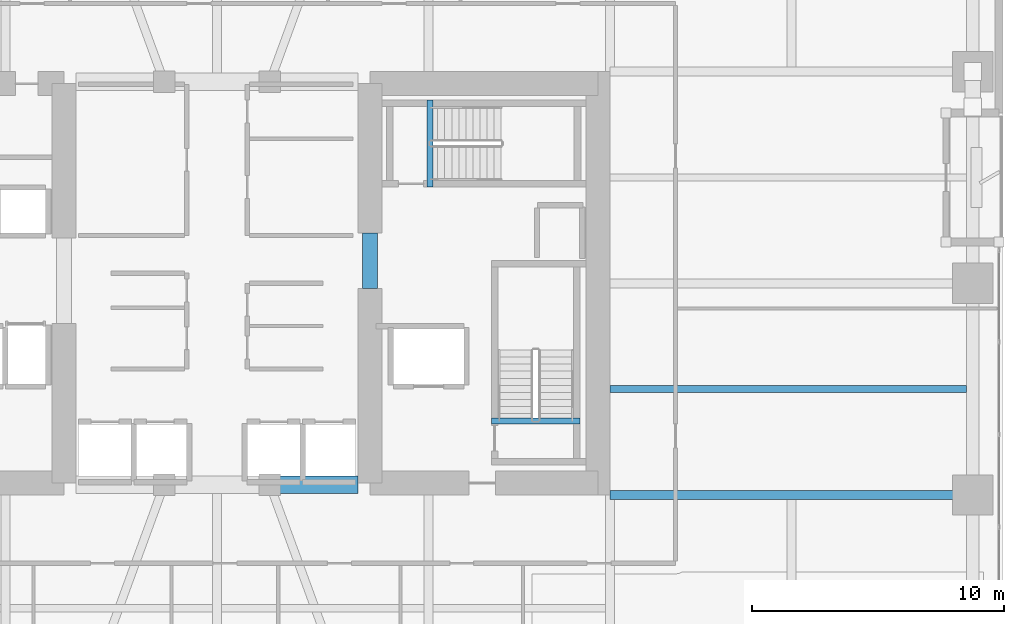
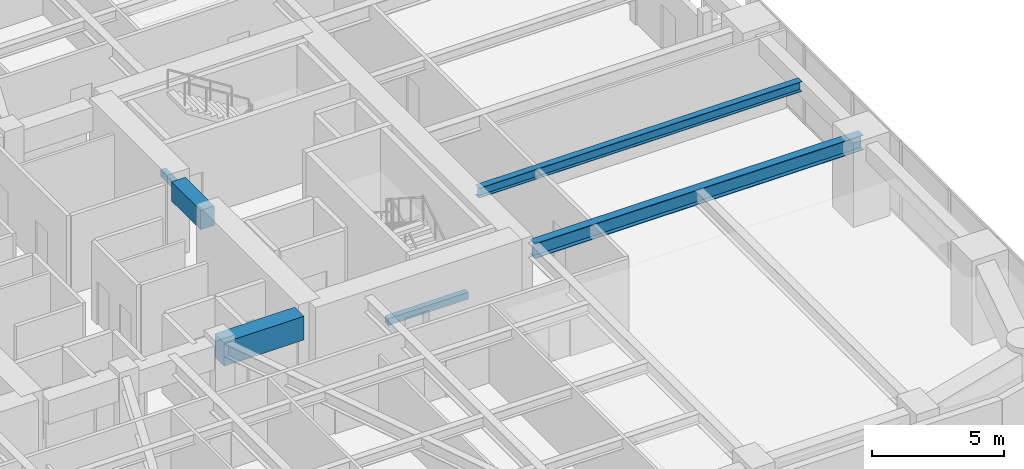
# One storey, part 7 of 29: 6 beams.
"""IFC4 building model written with IfcOpenShell, lengths in metres."""

from ifc_helpers import new_model, si_unit, direction, frame, origin, origin_2d, place, context, subcontext, project, spatial, rectangle, i_section, extrude, material, material_profile, profile_set, type_object, element, save


model = new_model("IFC4")

# Units and contexts
model_context = context("Model", 3, precision=1e-05, world=origin(), true_north=direction((0.0, 1.0)))
body_context = subcontext(model_context, "Body", "Model", "MODEL_VIEW")
ifc_project = project(units=[si_unit("LENGTHUNIT", "METRE"), si_unit("AREAUNIT", "SQUARE_METRE"), si_unit("VOLUMEUNIT", "CUBIC_METRE"), si_unit("PLANEANGLEUNIT", "RADIAN"), si_unit("MASSUNIT", "GRAM", prefix="KILO")], contexts=[model_context])

# Site, building, storey
site_placement = place(None, origin())
site = spatial("IfcSite", under=ifc_project, at=site_placement, CompositionType="ELEMENT")
building_placement = place(site_placement, origin())
building = spatial("IfcBuilding", under=site, at=building_placement, Name="Kiyonajd Concourse Tower", CompositionType="ELEMENT")
storey_placement = place(building_placement, frame((0.0, 0.0, 52.800048828125)))
storey = spatial("IfcBuildingStorey", under=building, at=storey_placement, Name="L14", CompositionType="ELEMENT", Elevation=52.800048828125)

# Beams
ifc_material_1 = material(Name="Concrete C70/85", Category="concrete")
ifc_material_profile_1 = material_profile(ifc_material_1, rectangle(XDim=0.699951171875, YDim=1.10009765625, at=origin_2d()), Name="RCBM-700x1100")
ifc_profile_set_1 = profile_set([ifc_material_profile_1], Name="Concrete C70/85")
beam_type_1 = type_object("IfcBeamType", Name="BM-COUP-1100", PredefinedType="LINTEL", material=ifc_profile_set_1)
beam_1_placement = place(storey_placement, frame((50.10009765625, 28.0, 3.08984375), z_axis=(1.0, 0.0, 0.0), x_axis=(0.0, 1.0, 0.0)))
element("IfcBeam", 1, at=beam_1_placement, inside=storey, type_object=beam_type_1, Name="L14 Core Coupling Beam S3", PredefinedType="LINTEL", context=body_context, shape_type="SweptSolid", body=[
    extrude(rectangle(XDim=0.699951171875, YDim=1.10009765625, at=origin_2d()), origin(), (0.0, 0.0, 1.0), 3.5),
])
ifc_material_2 = material(Name="Concrete C60/75", Category="concrete")
ifc_material_profile_2 = material_profile(ifc_material_2, rectangle(XDim=0.60009765625, YDim=0.89990234375, at=origin_2d()), Name="RCBM-600x900")
ifc_profile_set_2 = profile_set([ifc_material_profile_2], Name="Concrete C60/75")
beam_type_2 = type_object("IfcBeamType", Name="BM-COUP-900", PredefinedType="LINTEL", material=ifc_profile_set_2)
beam_2_placement = place(storey_placement, frame((54.074951171875, 35.800048828125, 3.08984375), z_axis=(0.0, 1.0, 0.0), x_axis=(-1.0, 0.0, 0.0)))
element("IfcBeam", 2, at=beam_2_placement, inside=storey, type_object=beam_type_2, Name="L14 East Core Throat Coupling Lintel", PredefinedType="LINTEL", context=body_context, shape_type="SweptSolid", body=[
    extrude(rectangle(XDim=0.60009765625, YDim=0.89990234375, at=origin_2d()), origin(), (0.0, 0.0, 1.0), 2.199951171875),
])
ifc_material_3 = material(Name="Steel ASTM A992 Grade 50", Category="steel")
ifc_material_profile_3 = material_profile(ifc_material_3, i_section(OverallWidth=0.280029296875, OverallDepth=0.462890625, WebThickness=0.0107421875, FlangeThickness=0.017333984375, at=origin_2d()), Name="W460X113")
ifc_profile_set_3 = profile_set([ifc_material_profile_3], Name="Steel ASTM A992 Grade 50")
beam_type_3 = type_object("IfcBeamType", Name="BM-JST-460A", PredefinedType="JOIST", material=ifc_profile_set_3)
beam_3_placement = place(storey_placement, frame((63.60009765625, 31.800048828125, 3.408447265625), z_axis=(1.0, 0.0, 0.0), x_axis=(0.0, 1.0, 0.0)))
element("IfcBeam", 3, at=beam_3_placement, inside=storey, type_object=beam_type_3, Name="L14 East Secondary Floor Joist", PredefinedType="JOIST", context=body_context, shape_type="SweptSolid", body=[
    extrude(i_section(OverallWidth=0.280029296875, OverallDepth=0.462890625, WebThickness=0.0107421875, FlangeThickness=0.017333984375, at=origin_2d()), origin(), (0.0, 0.0, 1.0), 14.14990234375),
])
ifc_material_4 = material(Name="Concrete C50/60", Category="concrete")
ifc_material_profile_4 = material_profile(ifc_material_4, rectangle(XDim=0.239990234375, YDim=0.320068359375, at=origin_2d()), Name="RCBM-240x320")
ifc_profile_set_4 = profile_set([ifc_material_profile_4], Name="Concrete C50/60")
beam_type_4 = type_object("IfcBeamType", Name="BM-LNT-250", PredefinedType="LINTEL", material=ifc_profile_set_4)
beam_4_placement = place(storey_placement, frame((58.889892578125, 30.530029296875, -0.16015625), z_axis=(1.0, 0.0, 0.0), x_axis=(0.0, 1.0, 0.0)))
element("IfcBeam", 4, at=beam_4_placement, inside=storey, type_object=beam_type_4, Name="L14 Stair ST2 Threshold Support Beam", PredefinedType="LINTEL", context=body_context, shape_type="SweptSolid", body=[
    extrude(rectangle(XDim=0.239990234375, YDim=0.320068359375, at=origin_2d()), origin(), (0.0, 0.0, 1.0), 3.52001953125),
])
beam_5_placement = place(storey_placement, frame((56.4599609375, 39.820068359375, -0.16015625), z_axis=(0.0, 1.0, 0.0), x_axis=(-1.0, 0.0, 0.0)))
element("IfcBeam", 5, at=beam_5_placement, inside=storey, type_object=beam_type_4, Name="L14 Stair ST3 Threshold Support Beam", PredefinedType="LINTEL", context=body_context, shape_type="SweptSolid", body=[
    extrude(rectangle(XDim=0.239990234375, YDim=0.320068359375, at=origin_2d()), origin(), (0.0, 0.0, 1.0), 3.4599609375),
])
ifc_material_profile_5 = material_profile(ifc_material_3, i_section(OverallWidth=0.35498046875, OverallDepth=0.695068359375, WebThickness=0.015380859375, FlangeThickness=0.02490234375, at=origin_2d()), Name="W690X217")
ifc_profile_set_5 = profile_set([ifc_material_profile_5], Name="Steel ASTM A992 Grade 50")
beam_type_5 = type_object("IfcBeamType", Name="BM-TWR-690", PredefinedType="BEAM", material=ifc_profile_set_5)
beam_6_placement = place(storey_placement, frame((63.60009765625, 27.60009765625, 3.29248046875), z_axis=(1.0, 0.0, 0.0), x_axis=(0.0, 1.0, 0.0)))
element("IfcBeam", 6, at=beam_6_placement, inside=storey, type_object=beam_type_5, Name="L14 East Lease Girder", PredefinedType="BEAM", context=body_context, shape_type="SweptSolid", body=[
    extrude(i_section(OverallWidth=0.35498046875, OverallDepth=0.695068359375, WebThickness=0.015380859375, FlangeThickness=0.02490234375, at=origin_2d()), origin(), (0.0, 0.0, 1.0), 14.39990234375),
])

save(model, "model.ifc")
